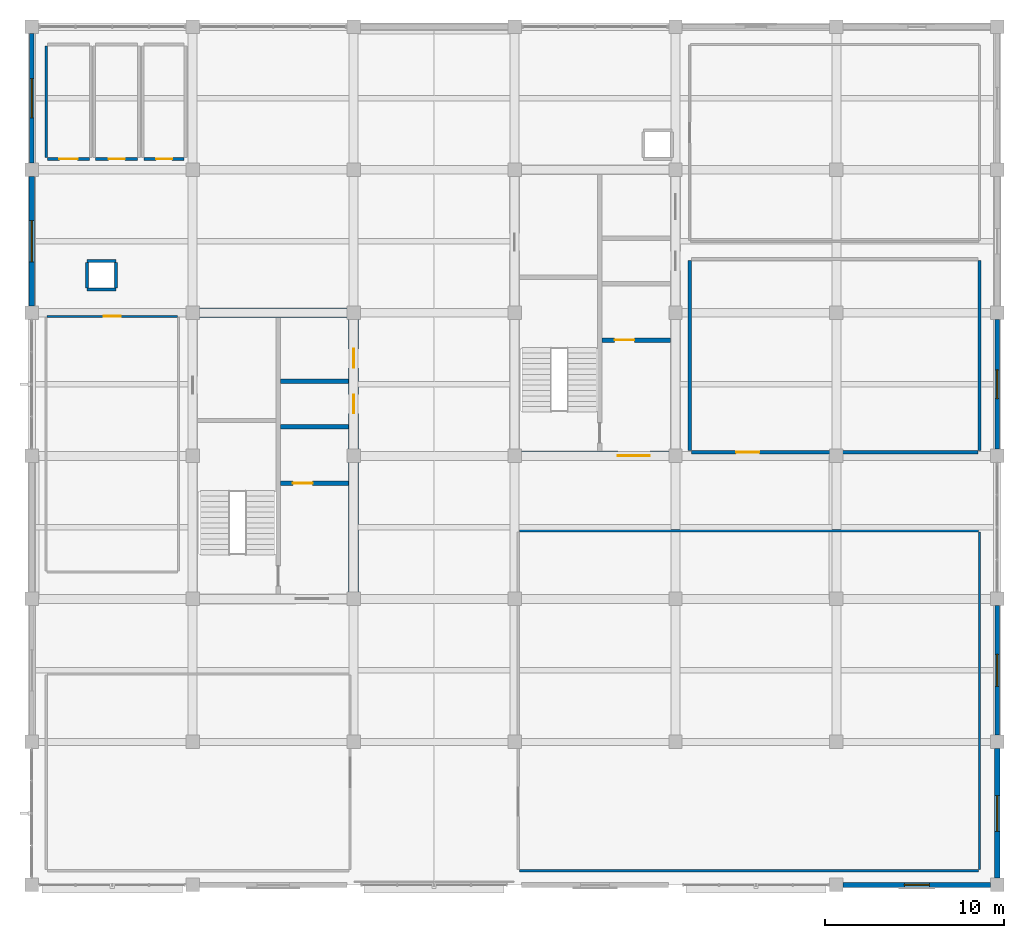
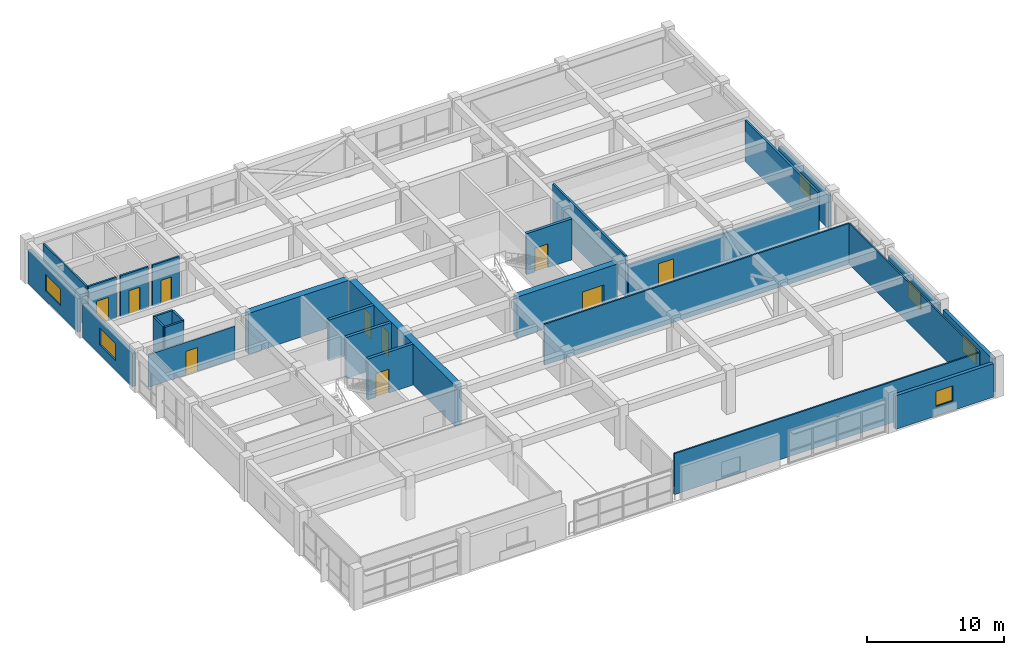
# One storey, part 12 of 15: 28 walls, 10 doors, 6 windows, 16 openings.
"""IFC4 building model written with IfcOpenShell, lengths in metres."""

from ifc_helpers import new_model, si_unit, direction, frame, frame_2d, origin, place, context, subcontext, project, spatial, rectangle, extrude, material, layer, layer_set, type_object, element, fill, save


model = new_model("IFC4")

# Units and contexts
model_context = context("Model", 3, precision=1e-05, world=origin(), true_north=direction((0.0, 1.0)))
body_context = subcontext(model_context, "Body", "Model", "MODEL_VIEW")
ifc_project = project(units=[si_unit("LENGTHUNIT", "METRE"), si_unit("AREAUNIT", "SQUARE_METRE"), si_unit("VOLUMEUNIT", "CUBIC_METRE"), si_unit("PLANEANGLEUNIT", "RADIAN"), si_unit("MASSUNIT", "GRAM", prefix="KILO")], contexts=[model_context])

# Site, building, storey
site_placement = place(None, origin())
site = spatial("IfcSite", under=ifc_project, at=site_placement, CompositionType="ELEMENT")
building_placement = place(site_placement, origin())
building = spatial("IfcBuilding", under=site, at=building_placement, Name="Zaverband Oceanarium and Marine Research Institute", CompositionType="ELEMENT")
storey_placement = place(building_placement, frame((0.0, 0.0, 53.10009765625)))
storey = spatial("IfcBuildingStorey", under=building, at=storey_placement, Name="L13", CompositionType="ELEMENT", Elevation=53.10009765625)

# Wall
ifc_material_1 = material(Name="Concrete C50/60", Category="concrete")
ifc_layer_1 = layer(ifc_material_1, 0.550048828125, Name="Concrete C50/60")
ifc_layer_set_1 = layer_set([ifc_layer_1], Name="Concrete C50/60")
wall_type_1 = type_object("IfcWallType", Name="CW-01", PredefinedType="SHEAR", material=ifc_layer_set_1)
wall_1_placement = place(storey_placement, frame((18.27490234375, 96.0, 0.0), z_axis=(0.0, 0.0, 1.0), x_axis=(1.0, 0.0, 0.0)))
element("IfcWall", 1, at=wall_1_placement, inside=storey, type_object=wall_type_1, Name="Structural shear wall CW-01", PredefinedType="SHEAR", context=body_context, shape_type="SweptSolid", body=[
    extrude(rectangle(XDim=8.4501953125, YDim=0.550048828125, at=frame_2d((4.22509765625, 0.0))), origin(), (0.0, 0.0, 1.0), 3.64990234375),
])

# Wall, openings, doors
wall_2_placement = place(storey_placement, frame((27.0, 80.27490234375, 0.0), z_axis=(0.0, 0.0, 1.0), x_axis=(0.0, 1.0, 0.0)))
wall_2 = element("IfcWall", 2, at=wall_2_placement, inside=storey, type_object=wall_type_1, Name="Structural shear wall CW-01", PredefinedType="SHEAR", context=body_context, shape_type="SweptSolid", body=[
    extrude(rectangle(XDim=15.4501953125, YDim=0.550048828125, at=frame_2d((7.72509765625, 0.0))), origin(), (0.0, 0.0, 1.0), 3.64990234375),
])
opening_1_placement = place(wall_2_placement, frame((10.10009765625, 0.0, 0.0)))
opening_1 = element("IfcOpeningElement", 3, at=opening_1_placement, cuts=wall_2, Name="Opening LD-02", PredefinedType="OPENING", context=body_context, shape_type="SweptSolid", body=[
    extrude(rectangle(XDim=1.050048828125, YDim=2.1201171875, at=frame_2d((0.52490234375, 1.06005859375))), frame((0.0, 0.287109375, 0.0), z_axis=(0.0, -1.0, 0.0), x_axis=(1.0, 0.0, 0.0)), (0.0, 0.0, 1.0), 0.573974609375),
])
opening_2_placement = place(wall_2_placement, frame((12.64990234375, 0.0, 0.0)))
opening_2 = element("IfcOpeningElement", 4, at=opening_2_placement, cuts=wall_2, Name="Opening LD-02", PredefinedType="OPENING", context=body_context, shape_type="SweptSolid", body=[
    extrude(rectangle(XDim=1.050048828125, YDim=2.1201171875, at=frame_2d((0.52490234375, 1.06005859375))), frame((0.0, 0.287109375, 0.0), z_axis=(0.0, -1.0, 0.0), x_axis=(1.0, 0.0, 0.0)), (0.0, 0.0, 1.0), 0.573974609375),
])
ifc_material_2 = material(Name="Steel S355", Category="steel")
door_type_1 = type_object("IfcDoorType", Name="LD-02", OperationType="DOUBLE_DOOR_SLIDING", PredefinedType="DOOR", material=ifc_material_2)
door_1_placement = place(opening_1_placement, origin())
door_1 = element("IfcDoor", 5, at=door_1_placement, inside=storey, type_object=door_type_1, Name="Passenger lift sliding landing door LD-02", OperationType="DOUBLE_DOOR_SLIDING", OverallHeight=2.1201171875, OverallWidth=1.050048828125, PredefinedType="DOOR", context=body_context, shape_type="SweptSolid", body=[
    extrude(rectangle(XDim=1.050048828125, YDim=2.1201171875, at=frame_2d((0.52490234375, 1.06005859375))), frame((0.0, 0.02490234375, 0.0), z_axis=(0.0, -1.0, 0.0), x_axis=(1.0, 0.0, 0.0)), (0.0, 0.0, 1.0), 0.050048828125),
])
fill(opening_1, door_1)
door_2_placement = place(opening_2_placement, origin())
door_2 = element("IfcDoor", 6, at=door_2_placement, inside=storey, type_object=door_type_1, Name="Passenger lift sliding landing door LD-02", OperationType="DOUBLE_DOOR_SLIDING", OverallHeight=2.1201171875, OverallWidth=1.050048828125, PredefinedType="DOOR", context=body_context, shape_type="SweptSolid", body=[
    extrude(rectangle(XDim=1.050048828125, YDim=2.1201171875, at=frame_2d((0.52490234375, 1.06005859375))), frame((0.0, 0.02490234375, 0.0), z_axis=(0.0, -1.0, 0.0), x_axis=(1.0, 0.0, 0.0)), (0.0, 0.0, 1.0), 0.050048828125),
])
fill(opening_2, door_2)

# Wall, opening, door
wall_3_placement = place(storey_placement, frame((36.27490234375, 88.0, 0.0), z_axis=(0.0, 0.0, 1.0), x_axis=(1.0, 0.0, 0.0)))
wall_3 = element("IfcWall", 7, at=wall_3_placement, inside=storey, type_object=wall_type_1, Name="Structural shear wall CW-01", PredefinedType="SHEAR", context=body_context, shape_type="SweptSolid", body=[
    extrude(rectangle(XDim=8.4501953125, YDim=0.550048828125, at=frame_2d((4.22509765625, 0.0))), origin(), (0.0, 0.0, 1.0), 3.64990234375),
])
opening_3_placement = place(wall_3_placement, frame((5.5, 0.0, 0.0)))
opening_3 = element("IfcOpeningElement", 8, at=opening_3_placement, cuts=wall_3, Name="Opening FD-02", PredefinedType="OPENING", context=body_context, shape_type="SweptSolid", body=[
    extrude(rectangle(XDim=1.800048828125, YDim=2.179931640625, at=frame_2d((0.89990234375, 1.08984375))), frame((0.0, 0.287109375, 0.0), z_axis=(0.0, -1.0, 0.0), x_axis=(1.0, 0.0, 0.0)), (0.0, 0.0, 1.0), 0.573974609375),
])
door_type_2 = type_object("IfcDoorType", Name="FD-02", OperationType="DOUBLE_DOOR_SINGLE_SWING", PredefinedType="DOOR", material=ifc_material_2)
door_3_placement = place(opening_3_placement, origin())
door_3 = element("IfcDoor", 9, at=door_3_placement, inside=storey, type_object=door_type_2, Name="Protected lobby double fire door FD-02", OperationType="DOUBLE_DOOR_SINGLE_SWING", OverallHeight=2.179931640625, OverallWidth=1.800048828125, PredefinedType="DOOR", context=body_context, shape_type="SweptSolid", body=[
    extrude(rectangle(XDim=1.800048828125, YDim=2.179931640625, at=frame_2d((0.89990234375, 1.08984375))), frame((0.0, 0.02490234375, 0.0), z_axis=(0.0, -1.0, 0.0), x_axis=(1.0, 0.0, 0.0)), (0.0, 0.0, 1.0), 0.050048828125),
])
fill(opening_3, door_3)

# Wall, opening, window
ifc_material_3 = material(Name="Concrete C40/50 precast", Category="concrete")
ifc_layer_2 = layer(ifc_material_3, 0.264892578125, Name="Concrete C40/50 precast")
ifc_layer_set_2 = layer_set([ifc_layer_2], Name="Concrete C40/50 precast")
wall_type_2 = type_object("IfcWallType", Name="EW-265", PredefinedType="STANDARD", material=ifc_layer_set_2)
wall_4_placement = place(storey_placement, frame((9.0, 104.3798828125, 0.0), z_axis=(0.0, 0.0, 1.0), x_axis=(0.0, 1.0, 0.0)))
wall_4 = element("IfcWall", 10, at=wall_4_placement, inside=storey, type_object=wall_type_2, Name="Exterior infill wall EW-265", PredefinedType="STANDARD", context=body_context, shape_type="SweptSolid", body=[
    extrude(rectangle(XDim=7.240234375, YDim=0.264892578125, at=frame_2d((3.6201171875, 0.0))), origin(), (0.0, 0.0, 1.0), 2.97998046875),
])
opening_4_placement = place(wall_4_placement, frame((2.52001953125, 0.0, 0.85009765625)))
opening_4 = element("IfcOpeningElement", 11, at=opening_4_placement, cuts=wall_4, Name="Opening WN-2200x1500", PredefinedType="OPENING", context=body_context, shape_type="SweptSolid", body=[
    extrude(rectangle(XDim=2.199951171875, YDim=1.5, at=frame_2d((1.10009765625, 0.75))), frame((0.0, 0.14453125, 0.0), z_axis=(0.0, -1.0, 0.0), x_axis=(1.0, 0.0, 0.0)), (0.0, 0.0, 1.0), 0.288818359375),
])
ifc_material_4 = material(Name="Thermally broken anodized aluminium and solar-control glass", Category="aluminium")
window_type_1 = type_object("IfcWindowType", Name="WN-2200x1500", PartitioningType="SINGLE_PANEL", PredefinedType="WINDOW", material=ifc_material_4)
window_1_placement = place(opening_4_placement, origin())
window_1 = element("IfcWindow", 12, at=window_1_placement, inside=storey, type_object=window_type_1, Name="Fixed / casement exterior window WN-2200x1500", OverallHeight=1.5, OverallWidth=2.199951171875, PartitioningType="SINGLE_PANEL", PredefinedType="WINDOW", context=body_context, shape_type="SweptSolid", body=[
    extrude(rectangle(XDim=2.199951171875, YDim=1.5, at=frame_2d((1.10009765625, 0.75))), frame((0.0, 0.030029296875, 0.0), z_axis=(0.0, -1.0, 0.0), x_axis=(1.0, 0.0, 0.0)), (0.0, 0.0, 1.0), 0.06005859375),
])
fill(opening_4, window_1)

wall_5_placement = place(storey_placement, frame((63.0, 72.3798828125, 0.0), z_axis=(0.0, 0.0, 1.0), x_axis=(0.0, 1.0, 0.0)))
wall_5 = element("IfcWall", 13, at=wall_5_placement, inside=storey, type_object=wall_type_2, Name="Exterior infill wall EW-265", PredefinedType="STANDARD", context=body_context, shape_type="SweptSolid", body=[
    extrude(rectangle(XDim=7.240234375, YDim=0.264892578125, at=frame_2d((3.6201171875, 0.0))), origin(), (0.0, 0.0, 1.0), 2.97998046875),
])
opening_5_placement = place(wall_5_placement, frame((2.719970703125, 0.0, 0.85009765625)))
opening_5 = element("IfcOpeningElement", 14, at=opening_5_placement, cuts=wall_5, Name="Opening WN-1800x1500", PredefinedType="OPENING", context=body_context, shape_type="SweptSolid", body=[
    extrude(rectangle(XDim=1.800048828125, YDim=1.5, at=frame_2d((0.89990234375, 0.75))), frame((0.0, 0.14453125, 0.0), z_axis=(0.0, -1.0, 0.0), x_axis=(1.0, 0.0, 0.0)), (0.0, 0.0, 1.0), 0.288818359375),
])
window_type_2 = type_object("IfcWindowType", Name="WN-1800x1500", PartitioningType="SINGLE_PANEL", PredefinedType="WINDOW", material=ifc_material_4)
window_2_placement = place(opening_5_placement, origin())
window_2 = element("IfcWindow", 15, at=window_2_placement, inside=storey, type_object=window_type_2, Name="Fixed / casement exterior window WN-1800x1500", OverallHeight=1.5, OverallWidth=1.800048828125, PartitioningType="SINGLE_PANEL", PredefinedType="WINDOW", context=body_context, shape_type="SweptSolid", body=[
    extrude(rectangle(XDim=1.800048828125, YDim=1.5, at=frame_2d((0.89990234375, 0.75))), frame((0.0, 0.030029296875, 0.0), z_axis=(0.0, -1.0, 0.0), x_axis=(1.0, 0.0, 0.0)), (0.0, 0.0, 1.0), 0.06005859375),
])
fill(opening_5, window_2)

wall_6_placement = place(storey_placement, frame((63.0, 88.3798828125, 0.0), z_axis=(0.0, 0.0, 1.0), x_axis=(0.0, 1.0, 0.0)))
wall_6 = element("IfcWall", 16, at=wall_6_placement, inside=storey, type_object=wall_type_2, Name="Exterior infill wall EW-265", PredefinedType="STANDARD", context=body_context, shape_type="SweptSolid", body=[
    extrude(rectangle(XDim=7.240234375, YDim=0.264892578125, at=frame_2d((3.6201171875, 0.0))), origin(), (0.0, 0.0, 1.0), 2.97998046875),
])
opening_6_placement = place(wall_6_placement, frame((2.820068359375, 0.0, 0.85009765625)))
opening_6 = element("IfcOpeningElement", 17, at=opening_6_placement, cuts=wall_6, Name="Opening WN-1600x1500", PredefinedType="OPENING", context=body_context, shape_type="SweptSolid", body=[
    extrude(rectangle(XDim=1.60009765625, YDim=1.5, at=frame_2d((0.800048828125, 0.75))), frame((0.0, 0.14453125, 0.0), z_axis=(0.0, -1.0, 0.0), x_axis=(1.0, 0.0, 0.0)), (0.0, 0.0, 1.0), 0.288818359375),
])
window_type_3 = type_object("IfcWindowType", Name="WN-1600x1500", PartitioningType="SINGLE_PANEL", PredefinedType="WINDOW", material=ifc_material_4)
window_3_placement = place(opening_6_placement, origin())
window_3 = element("IfcWindow", 18, at=window_3_placement, inside=storey, type_object=window_type_3, Name="Fixed / casement exterior window WN-1600x1500", OverallHeight=1.5, OverallWidth=1.60009765625, PartitioningType="SINGLE_PANEL", PredefinedType="WINDOW", context=body_context, shape_type="SweptSolid", body=[
    extrude(rectangle(XDim=1.60009765625, YDim=1.5, at=frame_2d((0.800048828125, 0.75))), frame((0.0, 0.030029296875, 0.0), z_axis=(0.0, -1.0, 0.0), x_axis=(1.0, 0.0, 0.0)), (0.0, 0.0, 1.0), 0.06005859375),
])
fill(opening_6, window_3)

ifc_layer_3 = layer(ifc_material_3, 0.2900390625, Name="Concrete C40/50 precast")
ifc_layer_set_3 = layer_set([ifc_layer_3], Name="Concrete C40/50 precast")
wall_type_3 = type_object("IfcWallType", Name="EW-290", PredefinedType="STANDARD", material=ifc_layer_set_3)
wall_7_placement = place(storey_placement, frame((54.3798828125, 64.0, 0.0), z_axis=(0.0, 0.0, 1.0), x_axis=(1.0, 0.0, 0.0)))
wall_7 = element("IfcWall", 19, at=wall_7_placement, inside=storey, type_object=wall_type_3, Name="Exterior infill wall EW-290", PredefinedType="STANDARD", context=body_context, shape_type="SweptSolid", body=[
    extrude(rectangle(XDim=8.240234375, YDim=0.2900390625, at=frame_2d((4.1201171875, 0.0))), origin(), (0.0, 0.0, 1.0), 2.97998046875),
])
opening_7_placement = place(wall_7_placement, frame((3.419921875, 0.0, 0.85009765625)))
opening_7 = element("IfcOpeningElement", 20, at=opening_7_placement, cuts=wall_7, Name="Opening WN-1400x1350", PredefinedType="OPENING", context=body_context, shape_type="SweptSolid", body=[
    extrude(rectangle(XDim=1.39990234375, YDim=1.35009765625, at=frame_2d((0.699951171875, 0.675048828125))), frame((0.0, 0.156982421875, 0.0), z_axis=(0.0, -1.0, 0.0), x_axis=(1.0, 0.0, 0.0)), (0.0, 0.0, 1.0), 0.31396484375),
])
window_type_4 = type_object("IfcWindowType", Name="WN-1400x1350", PartitioningType="SINGLE_PANEL", PredefinedType="WINDOW", material=ifc_material_4)
window_4_placement = place(opening_7_placement, origin())
window_4 = element("IfcWindow", 21, at=window_4_placement, inside=storey, type_object=window_type_4, Name="Fixed / casement exterior window WN-1400x1350", OverallHeight=1.35009765625, OverallWidth=1.39990234375, PartitioningType="SINGLE_PANEL", PredefinedType="WINDOW", context=body_context, shape_type="SweptSolid", body=[
    extrude(rectangle(XDim=1.39990234375, YDim=1.35009765625, at=frame_2d((0.699951171875, 0.675048828125))), frame((0.0, 0.030029296875, 0.0), z_axis=(0.0, -1.0, 0.0), x_axis=(1.0, 0.0, 0.0)), (0.0, 0.0, 1.0), 0.06005859375),
])
fill(opening_7, window_4)

wall_8_placement = place(storey_placement, frame((9.0, 96.3798828125, 0.0), z_axis=(0.0, 0.0, 1.0), x_axis=(0.0, 1.0, 0.0)))
wall_8 = element("IfcWall", 22, at=wall_8_placement, inside=storey, type_object=wall_type_3, Name="Exterior infill wall EW-290", PredefinedType="STANDARD", context=body_context, shape_type="SweptSolid", body=[
    extrude(rectangle(XDim=7.240234375, YDim=0.2900390625, at=frame_2d((3.6201171875, 0.0))), origin(), (0.0, 0.0, 1.0), 2.97998046875),
])
opening_8_placement = place(wall_8_placement, frame((2.469970703125, 0.0, 0.85009765625)))
opening_8 = element("IfcOpeningElement", 23, at=opening_8_placement, cuts=wall_8, Name="Opening WN-2300x1500", PredefinedType="OPENING", context=body_context, shape_type="SweptSolid", body=[
    extrude(rectangle(XDim=2.300048828125, YDim=1.5, at=frame_2d((1.14990234375, 0.75))), frame((0.0, 0.156982421875, 0.0), z_axis=(0.0, -1.0, 0.0), x_axis=(1.0, 0.0, 0.0)), (0.0, 0.0, 1.0), 0.31396484375),
])
window_type_5 = type_object("IfcWindowType", Name="WN-2300x1500", PartitioningType="SINGLE_PANEL", PredefinedType="WINDOW", material=ifc_material_4)
window_5_placement = place(opening_8_placement, origin())
window_5 = element("IfcWindow", 24, at=window_5_placement, inside=storey, type_object=window_type_5, Name="Fixed / casement exterior window WN-2300x1500", OverallHeight=1.5, OverallWidth=2.300048828125, PartitioningType="SINGLE_PANEL", PredefinedType="WINDOW", context=body_context, shape_type="SweptSolid", body=[
    extrude(rectangle(XDim=2.300048828125, YDim=1.5, at=frame_2d((1.14990234375, 0.75))), frame((0.0, 0.030029296875, 0.0), z_axis=(0.0, -1.0, 0.0), x_axis=(1.0, 0.0, 0.0)), (0.0, 0.0, 1.0), 0.06005859375),
])
fill(opening_8, window_5)

wall_9_placement = place(storey_placement, frame((63.0, 64.3798828125, 0.0), z_axis=(0.0, 0.0, 1.0), x_axis=(0.0, 1.0, 0.0)))
wall_9 = element("IfcWall", 25, at=wall_9_placement, inside=storey, type_object=wall_type_3, Name="Exterior infill wall EW-290", PredefinedType="STANDARD", context=body_context, shape_type="SweptSolid", body=[
    extrude(rectangle(XDim=7.240234375, YDim=0.2900390625, at=frame_2d((3.6201171875, 0.0))), origin(), (0.0, 0.0, 1.0), 2.97998046875),
])
opening_9_placement = place(wall_9_placement, frame((2.6201171875, 0.0, 0.85009765625)))
opening_9 = element("IfcOpeningElement", 26, at=opening_9_placement, cuts=wall_9, Name="Opening WN-2000x1500", PredefinedType="OPENING", context=body_context, shape_type="SweptSolid", body=[
    extrude(rectangle(XDim=2.0, YDim=1.5, at=frame_2d((1.0, 0.75))), frame((0.0, 0.156982421875, 0.0), z_axis=(0.0, -1.0, 0.0), x_axis=(1.0, 0.0, 0.0)), (0.0, 0.0, 1.0), 0.31396484375),
])
window_type_6 = type_object("IfcWindowType", Name="WN-2000x1500", PartitioningType="SINGLE_PANEL", PredefinedType="WINDOW", material=ifc_material_4)
window_6_placement = place(opening_9_placement, origin())
window_6 = element("IfcWindow", 27, at=window_6_placement, inside=storey, type_object=window_type_6, Name="Fixed / casement exterior window WN-2000x1500", OverallHeight=1.5, OverallWidth=2.0, PartitioningType="SINGLE_PANEL", PredefinedType="WINDOW", context=body_context, shape_type="SweptSolid", body=[
    extrude(rectangle(XDim=2.0, YDim=1.5, at=frame_2d((1.0, 0.75))), frame((0.0, 0.030029296875, 0.0), z_axis=(0.0, -1.0, 0.0), x_axis=(1.0, 0.0, 0.0)), (0.0, 0.0, 1.0), 0.06005859375),
])
fill(opening_9, window_6)

# Wall, opening, door
ifc_material_5 = material(Name="Insulated metal-stud office partition")
ifc_layer_4 = layer(ifc_material_5, 0.1201171875, Name="Insulated metal-stud office partition")
ifc_layer_set_4 = layer_set([ifc_layer_4], Name="Insulated metal-stud office partition")
wall_type_4 = type_object("IfcWallType", Name="PT-120-OF", PredefinedType="PARTITIONING", material=ifc_layer_set_4)
wall_10_placement = place(storey_placement, frame((9.860107421875, 95.800048828125, 0.0), z_axis=(0.0, 0.0, 1.0), x_axis=(1.0, 0.0, 0.0)))
wall_10 = element("IfcWall", 28, at=wall_10_placement, inside=storey, type_object=wall_type_4, Name="Internal partition PT-120-OF", PredefinedType="PARTITIONING", context=body_context, shape_type="SweptSolid", body=[
    extrude(rectangle(XDim=7.27978515625, YDim=0.1201171875, at=frame_2d((3.639892578125, 0.0))), origin(), (0.0, 0.0, 1.0), 2.89990234375),
])
opening_10_placement = place(wall_10_placement, frame((3.159912109375, 0.0, 0.0)))
opening_10 = element("IfcOpeningElement", 29, at=opening_10_placement, cuts=wall_10, Name="Opening ID-960x2100", PredefinedType="OPENING", context=body_context, shape_type="SweptSolid", body=[
    extrude(rectangle(XDim=0.9599609375, YDim=2.10009765625, at=frame_2d((0.47998046875, 1.050048828125))), frame((0.0, 0.072021484375, 0.0), z_axis=(0.0, -1.0, 0.0), x_axis=(1.0, 0.0, 0.0)), (0.0, 0.0, 1.0), 0.14404296875),
])
ifc_material_6 = material(Name="Hardwood-veneered acoustic timber", Category="wood")
door_type_3 = type_object("IfcDoorType", Name="ID-960x2100", OperationType="NOTDEFINED", PredefinedType="DOOR", material=ifc_material_6)
door_4_placement = place(opening_10_placement, origin())
door_4 = element("IfcDoor", 30, at=door_4_placement, inside=storey, type_object=door_type_3, Name="Research write-up office door ID-960x2100", OperationType="SINGLE_SWING_LEFT", OverallHeight=2.10009765625, OverallWidth=0.9599609375, PredefinedType="DOOR", context=body_context, shape_type="SweptSolid", body=[
    extrude(rectangle(XDim=0.9599609375, YDim=2.10009765625, at=frame_2d((0.47998046875, 1.050048828125))), frame((0.0, 0.02490234375, 0.0), z_axis=(0.0, -1.0, 0.0), x_axis=(1.0, 0.0, 0.0)), (0.0, 0.0, 1.0), 0.050048828125),
])
fill(opening_10, door_4)

# Walls
ifc_material_7 = material(Name="Archive fire-lined partition")
ifc_layer_5 = layer(ifc_material_7, 0.1298828125, Name="Archive fire-lined partition")
ifc_layer_set_5 = layer_set([ifc_layer_5], Name="Archive fire-lined partition")
wall_type_5 = type_object("IfcWallType", Name="PT-130-AR", PredefinedType="PARTITIONING", material=ifc_layer_set_5)
for number, where, z_axis, x_axis, name in (
    (31, (36.264892578125, 64.800048828125, 0.0), (0.0, 0.0, 1.0), (1.0, 0.0, 0.0), "Internal partition PT-130-AR"),
    (32, (36.264892578125, 83.800048828125, 0.0), (0.0, 0.0, 1.0), (1.0, 0.0, 0.0), "Internal partition PT-130-AR"),
):
    element("IfcWall", number, at=place(storey_placement, frame(where, z_axis=z_axis, x_axis=x_axis)), inside=storey, type_object=wall_type_5, Name=name, PredefinedType="PARTITIONING", context=body_context, shape_type="SweptSolid", body=[
        extrude(rectangle(XDim=25.670166015625, YDim=0.1298828125, at=frame_2d((12.8349609375, 0.0))), origin(), (0.0, 0.0, 1.0), 3.64990234375),
    ])
wall_11_placement = place(storey_placement, frame((62.0, 64.864990234375, 0.0), z_axis=(0.0, 0.0, 1.0), x_axis=(0.0, 1.0, 0.0)))
element("IfcWall", 33, at=wall_11_placement, inside=storey, type_object=wall_type_5, Name="Internal partition PT-130-AR", PredefinedType="PARTITIONING", context=body_context, shape_type="SweptSolid", body=[
    extrude(rectangle(XDim=18.8701171875, YDim=0.1298828125, at=frame_2d((9.43505859375, 0.0))), origin(), (0.0, 0.0, 1.0), 3.64990234375),
])

# Wall, opening, door
ifc_material_8 = material(Name="Ceramic-tiled wet-room blockwork", Category="masonry")
ifc_layer_6 = layer(ifc_material_8, 0.14990234375, Name="Ceramic-tiled wet-room blockwork")
ifc_layer_set_6 = layer_set([ifc_layer_6], Name="Ceramic-tiled wet-room blockwork")
wall_type_6 = type_object("IfcWallType", Name="PT-150-WC", PredefinedType="PARTITIONING", material=ifc_layer_set_6)
wall_12_placement = place(storey_placement, frame((9.875, 104.60009765625, 0.0), z_axis=(0.0, 0.0, 1.0), x_axis=(1.0, 0.0, 0.0)))
wall_12 = element("IfcWall", 34, at=wall_12_placement, inside=storey, type_object=wall_type_6, Name="Internal partition PT-150-WC", PredefinedType="PARTITIONING", context=body_context, shape_type="SweptSolid", body=[
    extrude(rectangle(XDim=2.35009765625, YDim=0.14990234375, at=frame_2d((1.175048828125, 0.0))), origin(), (0.0, 0.0, 1.0), 3.64990234375),
])
opening_11_placement = place(wall_12_placement, frame((0.6650390625, 0.0, 0.0)))
opening_11 = element("IfcOpeningElement", 35, at=opening_11_placement, cuts=wall_12, Name="Opening ID-1020x2100", PredefinedType="OPENING", context=body_context, shape_type="SweptSolid", body=[
    extrude(rectangle(XDim=1.02001953125, YDim=2.10009765625, at=frame_2d((0.510009765625, 1.050048828125))), frame((0.0, 0.0869140625, 0.0), z_axis=(0.0, -1.0, 0.0), x_axis=(1.0, 0.0, 0.0)), (0.0, 0.0, 1.0), 0.173828125),
])
door_type_4 = type_object("IfcDoorType", Name="ID-1020x2100", OperationType="NOTDEFINED", PredefinedType="DOOR", material=ifc_material_6)
door_5_placement = place(opening_11_placement, frame((1.02001953125, 0.0, 0.0), z_axis=(0.0, 0.0, 1.0), x_axis=(-1.0, 0.0, 0.0)))
door_5 = element("IfcDoor", 36, at=door_5_placement, inside=storey, type_object=door_type_4, Name="Accessible WC outward-swing door ID-1020x2100", OperationType="SINGLE_SWING_LEFT", OverallHeight=2.10009765625, OverallWidth=1.02001953125, PredefinedType="DOOR", context=body_context, shape_type="SweptSolid", body=[
    extrude(rectangle(XDim=1.02001953125, YDim=2.10009765625, at=frame_2d((0.510009765625, 1.050048828125))), frame((0.0, 0.02490234375, 0.0), z_axis=(0.0, -1.0, 0.0), x_axis=(1.0, 0.0, 0.0)), (0.0, 0.0, 1.0), 0.050048828125),
])
fill(opening_11, door_5)

# Wall
wall_13_placement = place(storey_placement, frame((9.800048828125, 104.675048828125, 0.0), z_axis=(0.0, 0.0, 1.0), x_axis=(0.0, 1.0, 0.0)))
element("IfcWall", 37, at=wall_13_placement, inside=storey, type_object=wall_type_6, Name="Internal partition PT-150-WC", PredefinedType="PARTITIONING", context=body_context, shape_type="SweptSolid", body=[
    extrude(rectangle(XDim=6.25, YDim=0.14990234375, at=frame_2d((3.125, 0.0))), origin(), (0.0, 0.0, 1.0), 3.64990234375),
])

# Wall, opening, door
wall_14_placement = place(storey_placement, frame((12.574951171875, 104.60009765625, 0.0), z_axis=(0.0, 0.0, 1.0), x_axis=(1.0, 0.0, 0.0)))
wall_14 = element("IfcWall", 38, at=wall_14_placement, inside=storey, type_object=wall_type_6, Name="Internal partition PT-150-WC", PredefinedType="PARTITIONING", context=body_context, shape_type="SweptSolid", body=[
    extrude(rectangle(XDim=2.35009765625, YDim=0.14990234375, at=frame_2d((1.175048828125, 0.0))), origin(), (0.0, 0.0, 1.0), 3.64990234375),
])
opening_12_placement = place(wall_14_placement, frame((0.719970703125, 0.0, 0.0)))
opening_12 = element("IfcOpeningElement", 39, at=opening_12_placement, cuts=wall_14, Name="Opening ID-910x2080", PredefinedType="OPENING", context=body_context, shape_type="SweptSolid", body=[
    extrude(rectangle(XDim=0.909912109375, YDim=2.080078125, at=frame_2d((0.455078125, 1.0400390625))), frame((0.0, 0.0869140625, 0.0), z_axis=(0.0, -1.0, 0.0), x_axis=(1.0, 0.0, 0.0)), (0.0, 0.0, 1.0), 0.173828125),
])
door_type_5 = type_object("IfcDoorType", Name="ID-910x2080", OperationType="NOTDEFINED", PredefinedType="DOOR", material=ifc_material_6)
door_6_placement = place(opening_12_placement, origin())
door_6 = element("IfcDoor", 40, at=door_6_placement, inside=storey, type_object=door_type_5, Name="Sanitary washroom entrance door ID-910x2080", OperationType="SINGLE_SWING_RIGHT", OverallHeight=2.080078125, OverallWidth=0.909912109375, PredefinedType="DOOR", context=body_context, shape_type="SweptSolid", body=[
    extrude(rectangle(XDim=0.909912109375, YDim=2.080078125, at=frame_2d((0.455078125, 1.0400390625))), frame((0.0, 0.02490234375, 0.0), z_axis=(0.0, -1.0, 0.0), x_axis=(1.0, 0.0, 0.0)), (0.0, 0.0, 1.0), 0.050048828125),
])
fill(opening_12, door_6)

wall_15_placement = place(storey_placement, frame((15.27490234375, 104.60009765625, 0.0), z_axis=(0.0, 0.0, 1.0), x_axis=(1.0, 0.0, 0.0)))
wall_15 = element("IfcWall", 41, at=wall_15_placement, inside=storey, type_object=wall_type_6, Name="Internal partition PT-150-WC", PredefinedType="PARTITIONING", context=body_context, shape_type="SweptSolid", body=[
    extrude(rectangle(XDim=2.25, YDim=0.14990234375, at=frame_2d((1.125, 0.0))), origin(), (0.0, 0.0, 1.0), 3.64990234375),
])
opening_13_placement = place(wall_15_placement, frame((0.679931640625, 0.0, 0.0)))
opening_13 = element("IfcOpeningElement", 42, at=opening_13_placement, cuts=wall_15, Name="Opening ID-890x2060", PredefinedType="OPENING", context=body_context, shape_type="SweptSolid", body=[
    extrude(rectangle(XDim=0.889892578125, YDim=2.06005859375, at=frame_2d((0.44482421875, 1.030029296875))), frame((0.0, 0.0869140625, 0.0), z_axis=(0.0, -1.0, 0.0), x_axis=(1.0, 0.0, 0.0)), (0.0, 0.0, 1.0), 0.173828125),
])
door_type_6 = type_object("IfcDoorType", Name="ID-890x2060", OperationType="NOTDEFINED", PredefinedType="DOOR", material=ifc_material_6)
door_7_placement = place(opening_13_placement, origin())
door_7 = element("IfcDoor", 43, at=door_7_placement, inside=storey, type_object=door_type_6, Name="Staff WC door ID-890x2060", OperationType="SINGLE_SWING_LEFT", OverallHeight=2.06005859375, OverallWidth=0.889892578125, PredefinedType="DOOR", context=body_context, shape_type="SweptSolid", body=[
    extrude(rectangle(XDim=0.889892578125, YDim=2.06005859375, at=frame_2d((0.44482421875, 1.030029296875))), frame((0.0, 0.02490234375, 0.0), z_axis=(0.0, -1.0, 0.0), x_axis=(1.0, 0.0, 0.0)), (0.0, 0.0, 1.0), 0.050048828125),
])
fill(opening_13, door_7)

# Walls
ifc_material_9 = material(Name="Corridor rated drywall partition")
ifc_layer_7 = layer(ifc_material_9, 0.1650390625, Name="Corridor rated drywall partition")
ifc_layer_set_7 = layer_set([ifc_layer_7], Name="Corridor rated drywall partition")
wall_type_7 = type_object("IfcWallType", Name="PT-165-CR", PredefinedType="PARTITIONING", material=ifc_layer_set_7)
for number, where, z_axis, x_axis, name in (
    (44, (12.10009765625, 97.300048828125, 0.0), (0.0, 0.0, 1.0), (1.0, 0.0, 0.0), "Internal partition PT-165-CR"),
    (45, (12.10009765625, 98.89990234375, 0.0), (0.0, 0.0, 1.0), (1.0, 0.0, 0.0), "Internal partition PT-165-CR"),
):
    element("IfcWall", number, at=place(storey_placement, frame(where, z_axis=z_axis, x_axis=x_axis)), inside=storey, type_object=wall_type_7, Name=name, PredefinedType="PARTITIONING", context=body_context, shape_type="SweptSolid", body=[
        extrude(rectangle(XDim=1.599853515625, YDim=0.1650390625, at=frame_2d((0.7998046875, 0.0))), origin(), (0.0, 0.0, 1.0), 3.64990234375),
    ])
for number, where, z_axis, x_axis, name in (
    (46, (12.10009765625, 97.3798828125, 0.0), (0.0, 0.0, 1.0), (0.0, 1.0, 0.0), "Internal partition PT-165-CR"),
    (47, (13.699951171875, 97.3798828125, 0.0), (0.0, 0.0, 1.0), (0.0, 1.0, 0.0), "Internal partition PT-165-CR"),
):
    element("IfcWall", number, at=place(storey_placement, frame(where, z_axis=z_axis, x_axis=x_axis)), inside=storey, type_object=wall_type_7, Name=name, PredefinedType="PARTITIONING", context=body_context, shape_type="SweptSolid", body=[
        extrude(rectangle(XDim=1.440185546875, YDim=0.1650390625, at=frame_2d((0.72021484375, 0.0))), origin(), (0.0, 0.0, 1.0), 3.64990234375),
    ])

# Wall, opening, door
ifc_material_10 = material(Name="Moisture-resistant laboratory blockwork", Category="masonry")
ifc_layer_8 = layer(ifc_material_10, 0.179931640625, Name="Moisture-resistant laboratory blockwork")
ifc_layer_set_8 = layer_set([ifc_layer_8], Name="Moisture-resistant laboratory blockwork")
wall_type_8 = type_object("IfcWallType", Name="PT-180-LB", PredefinedType="PARTITIONING", material=ifc_layer_set_8)
wall_16_placement = place(storey_placement, frame((45.889892578125, 88.199951171875, 0.0), z_axis=(0.0, 0.0, 1.0), x_axis=(1.0, 0.0, 0.0)))
wall_16 = element("IfcWall", 48, at=wall_16_placement, inside=storey, type_object=wall_type_8, Name="Internal partition PT-180-LB", PredefinedType="PARTITIONING", context=body_context, shape_type="SweptSolid", body=[
    extrude(rectangle(XDim=16.02001953125, YDim=0.179931640625, at=frame_2d((8.010009765625, 0.0))), origin(), (0.0, 0.0, 1.0), 2.89990234375),
])
opening_14_placement = place(wall_16_placement, frame((2.5, 0.0, 0.0)))
opening_14 = element("IfcOpeningElement", 49, at=opening_14_placement, cuts=wall_16, Name="Opening ID-1300x2140", PredefinedType="OPENING", context=body_context, shape_type="SweptSolid", body=[
    extrude(rectangle(XDim=1.300048828125, YDim=2.139892578125, at=frame_2d((0.64990234375, 1.06982421875))), frame((0.0, 0.10205078125, 0.0), z_axis=(0.0, -1.0, 0.0), x_axis=(1.0, 0.0, 0.0)), (0.0, 0.0, 1.0), 0.203857421875),
])
door_type_7 = type_object("IfcDoorType", Name="ID-1300x2140", OperationType="NOTDEFINED", PredefinedType="DOOR", material=ifc_material_6)
door_8_placement = place(opening_14_placement, origin())
door_8 = element("IfcDoor", 50, at=door_8_placement, inside=storey, type_object=door_type_7, Name="Genomics laboratory door ID-1300x2140", OperationType="SINGLE_SWING_LEFT", OverallHeight=2.139892578125, OverallWidth=1.300048828125, PredefinedType="DOOR", context=body_context, shape_type="SweptSolid", body=[
    extrude(rectangle(XDim=1.300048828125, YDim=2.139892578125, at=frame_2d((0.64990234375, 1.06982421875))), frame((0.0, 0.02490234375, 0.0), z_axis=(0.0, -1.0, 0.0), x_axis=(1.0, 0.0, 0.0)), (0.0, 0.0, 1.0), 0.050048828125),
])
fill(opening_14, door_8)

# Walls
for number, where, z_axis, x_axis, name in (
    (51, (45.800048828125, 88.2900390625, 0.0), (0.0, 0.0, 1.0), (0.0, 1.0, 0.0), "Internal partition PT-180-LB"),
    (52, (62.0, 88.2900390625, 0.0), (0.0, 0.0, 1.0), (0.0, 1.0, 0.0), "Internal partition PT-180-LB"),
):
    element("IfcWall", number, at=place(storey_placement, frame(where, z_axis=z_axis, x_axis=x_axis)), inside=storey, type_object=wall_type_8, Name=name, PredefinedType="PARTITIONING", context=body_context, shape_type="SweptSolid", body=[
        extrude(rectangle(XDim=10.619873046875, YDim=0.179931640625, at=frame_2d((5.31005859375, 0.0))), origin(), (0.0, 0.0, 1.0), 3.64990234375),
    ])

# Wall, opening, door
ifc_layer_9 = layer(ifc_material_1, 0.25, Name="Concrete C50/60")
ifc_layer_set_9 = layer_set([ifc_layer_9], Name="Concrete C50/60")
wall_type_9 = type_object("IfcWallType", Name="PW-CORE-250", PredefinedType="SOLIDWALL", material=ifc_layer_set_9)
wall_17_placement = place(storey_placement, frame((22.905029296875, 86.47509765625, 0.0), z_axis=(0.0, 0.0, 1.0), x_axis=(1.0, 0.0, 0.0)))
wall_17 = element("IfcWall", 53, at=wall_17_placement, inside=storey, type_object=wall_type_9, Name="Structural concrete wall PW-CORE-250", PredefinedType="SOLIDWALL", context=body_context, shape_type="SweptSolid", body=[
    extrude(rectangle(XDim=3.820068359375, YDim=0.25, at=frame_2d((1.91015625, 0.0))), origin(), (0.0, 0.0, 1.0), 3.64990234375),
])
opening_15_placement = place(wall_17_placement, frame((0.695068359375, 0.0, 0.0)))
opening_15 = element("IfcOpeningElement", 54, at=opening_15_placement, cuts=wall_17, Name="Opening LD-01", PredefinedType="OPENING", context=body_context, shape_type="SweptSolid", body=[
    extrude(rectangle(XDim=1.10009765625, YDim=2.1201171875, at=frame_2d((0.550048828125, 1.06005859375))), frame((0.0, 0.136962890625, 0.0), z_axis=(0.0, -1.0, 0.0), x_axis=(1.0, 0.0, 0.0)), (0.0, 0.0, 1.0), 0.27392578125),
])
door_type_8 = type_object("IfcDoorType", Name="LD-01", OperationType="DOUBLE_DOOR_SLIDING", PredefinedType="DOOR", material=ifc_material_2)
door_9_placement = place(opening_15_placement, origin())
door_9 = element("IfcDoor", 55, at=door_9_placement, inside=storey, type_object=door_type_8, Name="Firefighting lift sliding landing door LD-01", OperationType="DOUBLE_DOOR_SLIDING", OverallHeight=2.1201171875, OverallWidth=1.10009765625, PredefinedType="DOOR", context=body_context, shape_type="SweptSolid", body=[
    extrude(rectangle(XDim=1.10009765625, YDim=2.1201171875, at=frame_2d((0.550048828125, 1.06005859375))), frame((0.0, 0.02490234375, 0.0), z_axis=(0.0, -1.0, 0.0), x_axis=(1.0, 0.0, 0.0)), (0.0, 0.0, 1.0), 0.050048828125),
])
fill(opening_15, door_9)

# Walls
for number, where, z_axis, x_axis, name in (
    (56, (22.905029296875, 89.6298828125, 0.0), (0.0, 0.0, 1.0), (1.0, 0.0, 0.0), "Structural concrete wall PW-CORE-250"),
    (57, (22.905029296875, 92.179931640625, 0.0), (0.0, 0.0, 1.0), (1.0, 0.0, 0.0), "Structural concrete wall PW-CORE-250"),
):
    element("IfcWall", number, at=place(storey_placement, frame(where, z_axis=z_axis, x_axis=x_axis)), inside=storey, type_object=wall_type_9, Name=name, PredefinedType="SOLIDWALL", context=body_context, shape_type="SweptSolid", body=[
        extrude(rectangle(XDim=3.820068359375, YDim=0.25, at=frame_2d((1.91015625, 0.0))), origin(), (0.0, 0.0, 1.0), 3.64990234375),
    ])

# Wall, opening, door
wall_18_placement = place(storey_placement, frame((40.905029296875, 94.47509765625, 0.0), z_axis=(0.0, 0.0, 1.0), x_axis=(1.0, 0.0, 0.0)))
wall_18 = element("IfcWall", 58, at=wall_18_placement, inside=storey, type_object=wall_type_9, Name="Structural concrete wall PW-CORE-250", PredefinedType="SOLIDWALL", context=body_context, shape_type="SweptSolid", body=[
    extrude(rectangle(XDim=3.820068359375, YDim=0.25, at=frame_2d((1.91015625, 0.0))), origin(), (0.0, 0.0, 1.0), 3.64990234375),
])
opening_16_placement = place(wall_18_placement, frame((0.695068359375, 0.0, 0.0)))
opening_16 = element("IfcOpeningElement", 59, at=opening_16_placement, cuts=wall_18, Name="Opening LD-01", PredefinedType="OPENING", context=body_context, shape_type="SweptSolid", body=[
    extrude(rectangle(XDim=1.10009765625, YDim=2.1201171875, at=frame_2d((0.550048828125, 1.06005859375))), frame((0.0, 0.136962890625, 0.0), z_axis=(0.0, -1.0, 0.0), x_axis=(1.0, 0.0, 0.0)), (0.0, 0.0, 1.0), 0.27392578125),
])
door_10_placement = place(opening_16_placement, origin())
door_10 = element("IfcDoor", 60, at=door_10_placement, inside=storey, type_object=door_type_8, Name="Firefighting lift sliding landing door LD-01", OperationType="DOUBLE_DOOR_SLIDING", OverallHeight=2.1201171875, OverallWidth=1.10009765625, PredefinedType="DOOR", context=body_context, shape_type="SweptSolid", body=[
    extrude(rectangle(XDim=1.10009765625, YDim=2.1201171875, at=frame_2d((0.550048828125, 1.06005859375))), frame((0.0, 0.02490234375, 0.0), z_axis=(0.0, -1.0, 0.0), x_axis=(1.0, 0.0, 0.0)), (0.0, 0.0, 1.0), 0.050048828125),
])
fill(opening_16, door_10)

save(model, "model.ifc")
